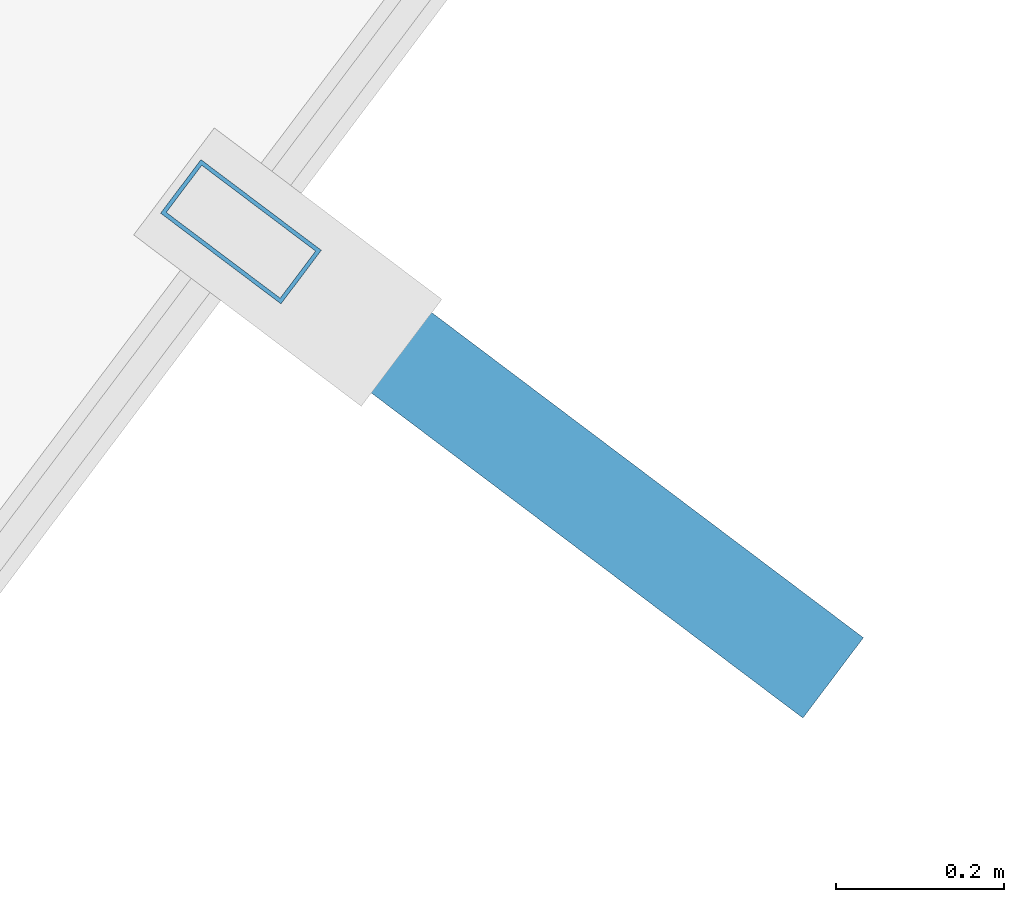
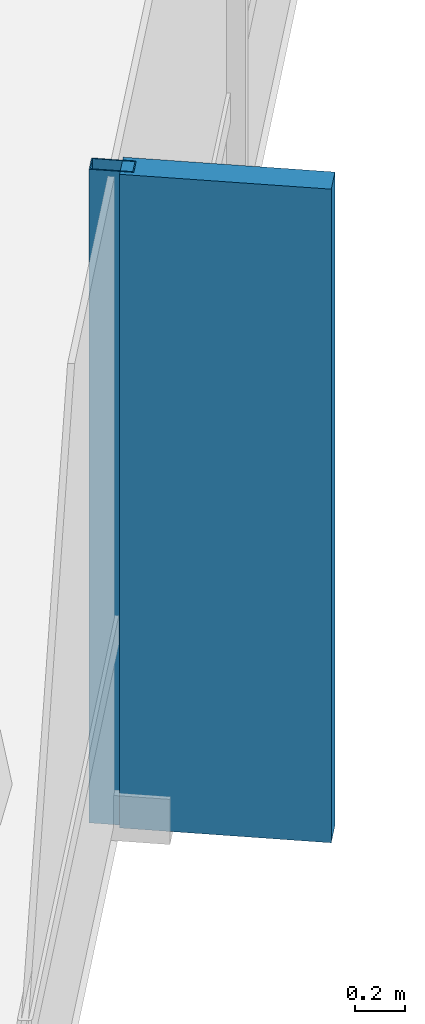
# One storey, part 15 of 22: 2 members, 1 element without a shape of its own.
"""IFC4 building model written with IfcOpenShell, lengths in metres."""

from ifc_helpers import new_model, si_unit, direction, frame, origin, origin_2d, place, context, subcontext, project, spatial, rectangle, hollow_rectangle, extrude, material, layer, layer_set, material_profile, profile_set, type_object, element, aggregate, save


model = new_model("IFC4")

# Units and contexts
model_context = context("Model", 3, precision=1e-05, world=origin(), true_north=direction((0.0, 1.0)))
body_context = subcontext(model_context, "Body", "Model", "MODEL_VIEW")
ifc_project = project(units=[si_unit("LENGTHUNIT", "METRE"), si_unit("AREAUNIT", "SQUARE_METRE"), si_unit("VOLUMEUNIT", "CUBIC_METRE"), si_unit("PLANEANGLEUNIT", "RADIAN"), si_unit("MASSUNIT", "GRAM", prefix="KILO")], contexts=[model_context])

# Site, building, storey
site_placement = place(None, origin())
site = spatial("IfcSite", under=ifc_project, at=site_placement, CompositionType="ELEMENT")
building_placement = place(site_placement, origin())
building = spatial("IfcBuilding", under=site, at=building_placement, Name="Zarrinselat Tower", CompositionType="ELEMENT")
storey_placement = place(building_placement, frame((0.0, 0.0, 295.800048828125)))
storey = spatial("IfcBuildingStorey", under=building, at=storey_placement, Name="L76", CompositionType="ELEMENT", Elevation=295.800048828125)

# Curtain wall, members
ifc_material_1 = material(Name="Extruded Aluminium Alloy EN AW-6063 T6", Category="aluminium")
ifc_layer = layer(ifc_material_1, 0.199951171875)
ifc_layer_set = layer_set([ifc_layer], Name="Extruded Aluminium Alloy EN AW-6063 T6")
curtain_wall_type = type_object("IfcCurtainWallType", Name="CWS-BLADE", PredefinedType="NOTDEFINED", material=ifc_layer_set)
curtain_wall_placement = place(storey_placement, origin())
curtain_wall = element("IfcCurtainWall", 1, at=curtain_wall_placement, inside=storey, type_object=curtain_wall_type, Name="L76 Unitised Curtain Wall CW-L76-E05", PredefinedType="NOTDEFINED")
ifc_material_2 = material(Name="Extruded Aluminium Alloy EN AW-6063 T6", Category="aluminium")
ifc_material_profile_1 = material_profile(ifc_material_2, hollow_rectangle(XDim=0.080078125, YDim=0.179931640625, WallThickness=0.0048828125, at=origin_2d()), Name="RHS 180x80x5")
ifc_profile_set_1 = profile_set([ifc_material_profile_1], Name="Extruded Aluminium Alloy EN AW-6063 T6")
member_type_1 = type_object("IfcMemberType", Name="MEM-CW-MUL", PredefinedType="MULLION", material=ifc_profile_set_1)
member_1_placement = place(storey_placement, frame((50.9287109375, 31.945068359375, 0.0), z_axis=(0.0, 0.0, 1.0), x_axis=(0.601672649155, 0.798742776655, 0.0)))
member_1 = element("IfcMember", 2, at=member_1_placement, type_object=member_type_1, Name="CW-L76-E05 Mullion 5", PredefinedType="MULLION", context=body_context, shape_type="SweptSolid", body=[
    extrude(hollow_rectangle(XDim=0.080078125, YDim=0.179931640625, WallThickness=0.0048828125, at=origin_2d()), origin(), (0.0, 0.0, 1.0), 3.179931640625),
])
ifc_material_3 = material(Name="Honed Cream Travertine Stone", Category="masonry")
ifc_material_profile_2 = material_profile(ifc_material_3, rectangle(XDim=0.1201171875, YDim=0.85009765625, at=origin_2d()), Name="FIN 850x120")
ifc_profile_set_2 = profile_set([ifc_material_profile_2], Name="Honed Cream Travertine Stone")
member_type_2 = type_object("IfcMemberType", Name="MEM-STONE-FIN", PredefinedType="USERDEFINED", material=ifc_profile_set_2)
member_2_placement = place(storey_placement, frame((51.296142578125, 31.668212890625, 0.0), z_axis=(0.0, 0.0, 1.0), x_axis=(-0.601672649155, -0.798742776655, 0.0)))
member_2 = element("IfcMember", 3, at=member_2_placement, type_object=member_type_2, Name="L76 Stone Shading Fin CW-L76-E05-05", ObjectType="FIN", PredefinedType="USERDEFINED", context=body_context, shape_type="SweptSolid", body=[
    extrude(rectangle(XDim=0.1201171875, YDim=0.85009765625, at=origin_2d()), origin(), (0.0, 0.0, 1.0), 3.179931640625),
])
aggregate(curtain_wall, [member_1, member_2])

save(model, "model.ifc")
